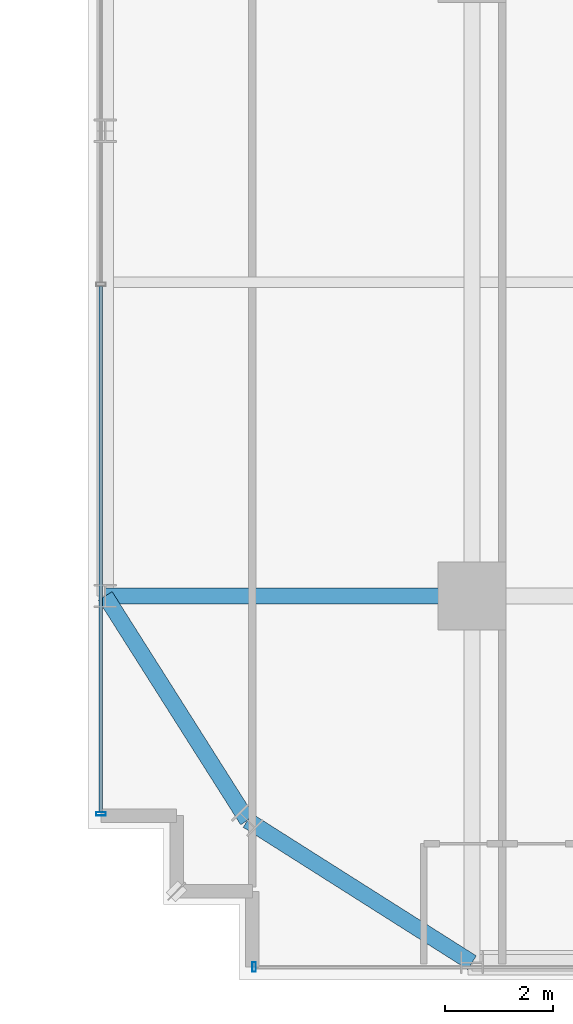
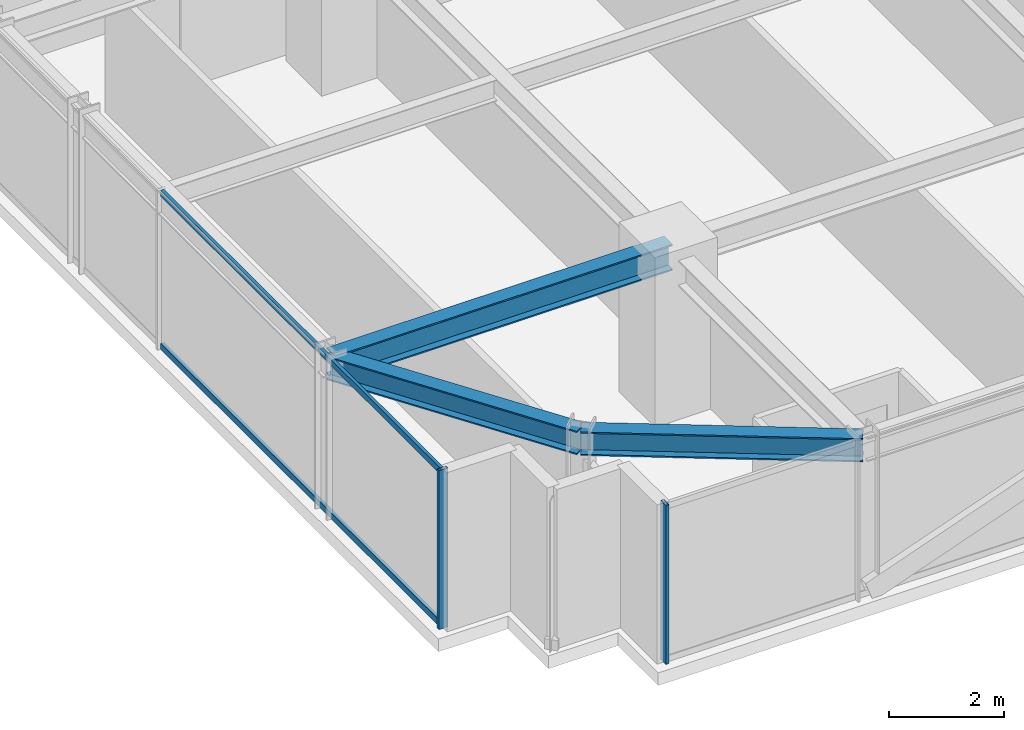
# One storey, part 2 of 39: 4 members, 3 beams, 2 elements without a shape of their own.
"""IFC4 building model written with IfcOpenShell, lengths in metres."""

from ifc_helpers import new_model, si_unit, direction, frame, origin, origin_2d, place, context, subcontext, project, spatial, hollow_rectangle, i_section, extrude, source, transform, mapped, material, material_profile, profile_set, type_object, element, aggregate, save


model = new_model("IFC4")

# Units and contexts
model_context = context("Model", 3, precision=1e-05, world=origin(), true_north=direction((0.0, 1.0)))
body_context = subcontext(model_context, "Body", "Model", "MODEL_VIEW")
ifc_project = project(units=[si_unit("LENGTHUNIT", "METRE"), si_unit("AREAUNIT", "SQUARE_METRE"), si_unit("VOLUMEUNIT", "CUBIC_METRE"), si_unit("PLANEANGLEUNIT", "RADIAN"), si_unit("MASSUNIT", "GRAM", prefix="KILO")], contexts=[model_context])

# Site, building, storey
site_placement = place(None, origin())
site = spatial("IfcSite", under=ifc_project, at=site_placement, CompositionType="ELEMENT")
building_placement = place(site_placement, origin())
building = spatial("IfcBuilding", under=site, at=building_placement, Name="Nahalor Promenade Grand Hotel", CompositionType="ELEMENT")
storey_placement = place(building_placement, frame((0.0, 0.0, 135.75)))
storey = spatial("IfcBuildingStorey", under=building, at=storey_placement, Name="L34", CompositionType="ELEMENT", Elevation=135.75)

# Beams
ifc_material_1 = material(Name="Steel S355JR", Category="steel")
ifc_material_profile_1 = material_profile(ifc_material_1, i_section(OverallWidth=0.3, OverallDepth=0.5, WebThickness=0.0145, FlangeThickness=0.028, at=origin_2d()), Name="HEB 500")
ifc_profile_set_1 = profile_set([ifc_material_profile_1], Name="Steel S355JR")
beam_type_1 = type_object("IfcBeamType", Name="Beam-Spandrel-HEB500", PredefinedType="SPANDREL", material=ifc_profile_set_1)
shared_shape_1 = source(origin(), body_context, "Body", "SweptSolid", [
    extrude(i_section(OverallWidth=0.3, OverallDepth=0.5, WebThickness=0.0145, FlangeThickness=0.028, at=origin_2d()), origin(), (0.0, 0.0, 1.0), 4.9130859375),
])
for number, where, z_axis, x_axis, name in (
    (1, (-17.0, -23.780029296875, 3.1298828125), (-0.844648325505, 0.535321591403, 0.0), (-0.535321591403, -0.844648325505, 0.0), "BM-L34-SPC-SW-1"),
    (2, (-21.14990234375, -21.14990234375, 3.1298828125), (-0.535321591403, 0.844648325505, 0.0), (-0.844648325505, -0.535321591403, 0.0), "BM-L34-SPC-SW-2"),
):
    element("IfcBeam", number, at=place(storey_placement, frame(where, z_axis=z_axis, x_axis=x_axis)), inside=storey, type_object=beam_type_1, Name=name, PredefinedType="SPANDREL", context=body_context, shape_type="MappedRepresentation", body=[
        mapped(shared_shape_1, transform((0.0, 0.0, 0.0), scale=1.0)),
    ])
ifc_material_profile_2 = material_profile(ifc_material_1, i_section(OverallWidth=0.3, OverallDepth=0.55, WebThickness=0.015, FlangeThickness=0.029, at=origin_2d()), Name="HEB 550")
ifc_profile_set_2 = profile_set([ifc_material_profile_2], Name="Steel S355JR")
beam_type_2 = type_object("IfcBeamType", Name="Beam-Girder-HEB550", PredefinedType="BEAM", material=ifc_profile_set_2)
shared_shape_2 = source(origin(), body_context, "Body", "SweptSolid", [
    extrude(i_section(OverallWidth=0.3, OverallDepth=0.55, WebThickness=0.015, FlangeThickness=0.029, at=origin_2d()), origin(), (0.0, 0.0, 1.0), 6.780029296875),
])
beam_placement = place(storey_placement, frame((-23.780029296875, -17.0, 3.10498046875), z_axis=(1.0, 0.0, 0.0), x_axis=(0.0, 1.0, 0.0)))
element("IfcBeam", 3, at=beam_placement, inside=storey, type_object=beam_type_2, Name="BM-L34-GX-0-0", PredefinedType="BEAM", context=body_context, shape_type="MappedRepresentation", body=[
    mapped(shared_shape_2, transform((0.0, 0.0, 0.0), scale=1.0)),
])

# Curtain wall, member
ifc_material_2 = material(Name="Anodised Bronze Aluminium EN AW-6063 T6", Category="aluminium")
curtain_wall_type = type_object("IfcCurtainWallType", Name="CW2 Typical Hotel Flush Bronze Unitised Curtain Wall", PredefinedType="USERDEFINED", material=ifc_material_2)
curtain_wall_1_placement = place(storey_placement, origin())
curtain_wall_1 = element("IfcCurtainWall", 4, at=curtain_wall_1_placement, inside=storey, type_object=curtain_wall_type, Name="L34 Curtain Wall CW-L34-S-1", ObjectType="UNITISED_CURTAIN_WALL", PredefinedType="USERDEFINED")
ifc_material_profile_3 = material_profile(ifc_material_2, hollow_rectangle(XDim=0.065, YDim=0.18, WallThickness=0.004, at=origin_2d()), Name="CWM 65x180x4")
ifc_profile_set_3 = profile_set([ifc_material_profile_3], Name="Anodised Bronze Aluminium EN AW-6063 T6")
member_type_1 = type_object("IfcMemberType", Name="CWM2 Typical Bronze Mullion 65x180", PredefinedType="MULLION", material=ifc_profile_set_3)
shared_shape_3 = source(origin(), body_context, "Body", "SweptSolid", [
    extrude(hollow_rectangle(XDim=0.065, YDim=0.18, WallThickness=0.004, at=origin_2d()), origin(), (0.0, 0.0, 1.0), 3.3798828125),
])
member_1_placement = place(storey_placement, frame((-21.027587890625, -23.860107421875, 0.0), z_axis=(0.0, 0.0, 1.0), x_axis=(1.0, 0.0, 0.0)))
member_1 = element("IfcMember", 5, at=member_1_placement, type_object=member_type_1, Name="CW-L34-S-1 Mullion 0", PredefinedType="MULLION", context=body_context, shape_type="MappedRepresentation", body=[
    mapped(shared_shape_3, transform((0.0, 0.0, 0.0), scale=1.0)),
])
aggregate(curtain_wall_1, [member_1])

# Curtain wall, members
curtain_wall_2_placement = place(storey_placement, origin())
curtain_wall_2 = element("IfcCurtainWall", 6, at=curtain_wall_2_placement, inside=storey, type_object=curtain_wall_type, Name="L34 Curtain Wall CW-L34-W-1", ObjectType="UNITISED_CURTAIN_WALL", PredefinedType="USERDEFINED")
member_2_placement = place(storey_placement, frame((-23.860107421875, -21.027587890625, 0.0), z_axis=(0.0, 0.0, 1.0), x_axis=(0.0, 1.0, 0.0)))
member_2 = element("IfcMember", 7, at=member_2_placement, type_object=member_type_1, Name="CW-L34-W-1 Mullion 0", PredefinedType="MULLION", context=body_context, shape_type="MappedRepresentation", body=[
    mapped(shared_shape_3, transform((0.0, 0.0, 0.0), scale=1.0)),
])
ifc_material_profile_4 = material_profile(ifc_material_2, hollow_rectangle(XDim=0.065, YDim=0.13, WallThickness=0.004, at=origin_2d()), Name="CWT 65x130x4")
ifc_profile_set_4 = profile_set([ifc_material_profile_4], Name="Anodised Bronze Aluminium EN AW-6063 T6")
member_type_2 = type_object("IfcMemberType", Name="CWT2 Typical Bronze Transom 65x130", PredefinedType="USERDEFINED", material=ifc_profile_set_4)
shared_shape_4 = source(origin(), body_context, "Body", "SweptSolid", [
    extrude(hollow_rectangle(XDim=0.065, YDim=0.13, WallThickness=0.004, at=origin_2d()), origin(), (0.0, 0.0, 1.0), 9.72265625),
])
member_3_placement = place(storey_placement, frame((-23.860107421875, -20.9951171875, 0.06494140625), z_axis=(0.0, 1.0, 0.0), x_axis=(-1.0, 0.0, 0.0)))
member_3 = element("IfcMember", 8, at=member_3_placement, type_object=member_type_2, Name="CW-L34-W-1 Transom 0-0", ObjectType="TRANSOM", PredefinedType="USERDEFINED", context=body_context, shape_type="MappedRepresentation", body=[
    mapped(shared_shape_4, transform((0.0, 0.0, 0.0), scale=1.0)),
])
member_4_placement = place(storey_placement, frame((-23.860107421875, -20.9951171875, 3.31494140625), z_axis=(0.0, 1.0, 0.0), x_axis=(-1.0, 0.0, 0.0)))
member_4 = element("IfcMember", 9, at=member_4_placement, type_object=member_type_2, Name="CW-L34-W-1 Transom 0-1", ObjectType="TRANSOM", PredefinedType="USERDEFINED", context=body_context, shape_type="MappedRepresentation", body=[
    mapped(shared_shape_4, transform((0.0, 0.0, 0.0), scale=1.0)),
])
aggregate(curtain_wall_2, [member_2, member_3, member_4])

save(model, "model.ifc")
